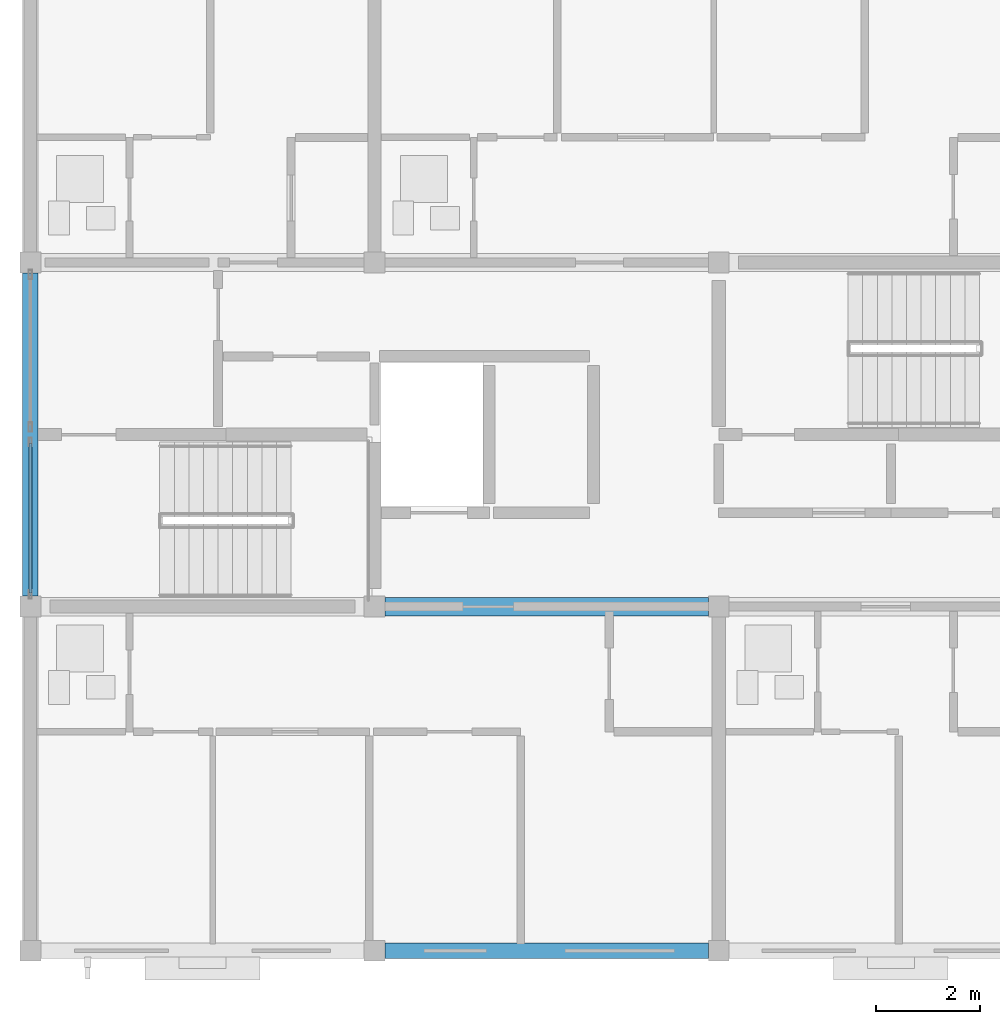
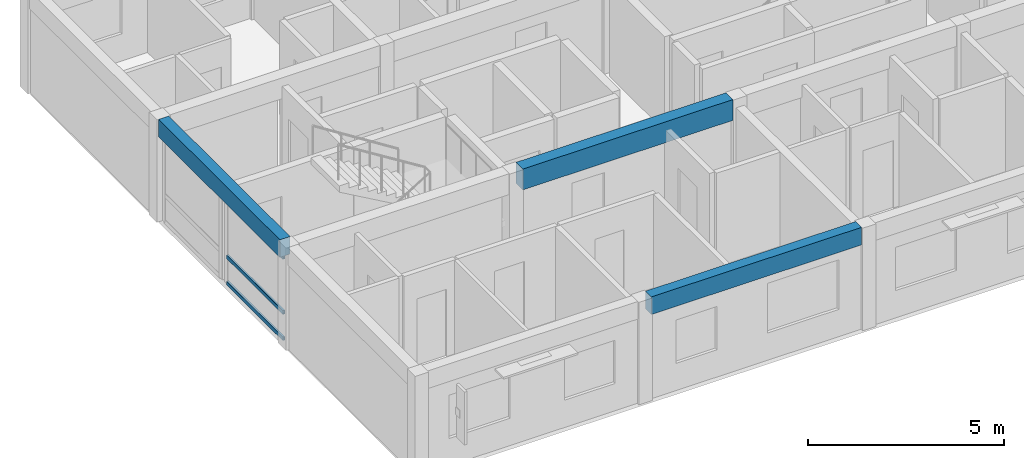
# One storey, part 3 of 12: 3 beams, 3 members, 1 element without a shape of its own.
"""IFC4 building model written with IfcOpenShell, lengths in metres."""

from ifc_helpers import new_model, si_unit, direction, frame, origin, origin_2d, place, context, subcontext, project, spatial, rectangle, hollow_rectangle, extrude, material, material_profile, profile_set, type_object, element, aggregate, save


model = new_model("IFC4")

# Units and contexts
model_context = context("Model", 3, precision=1e-05, world=origin(), true_north=direction((0.0, 1.0)))
body_context = subcontext(model_context, "Body", "Model", "MODEL_VIEW")
ifc_project = project(units=[si_unit("LENGTHUNIT", "METRE"), si_unit("AREAUNIT", "SQUARE_METRE"), si_unit("VOLUMEUNIT", "CUBIC_METRE"), si_unit("PLANEANGLEUNIT", "RADIAN"), si_unit("MASSUNIT", "GRAM", prefix="KILO")], contexts=[model_context])

# Site, building, storey
site_placement = place(None, origin())
site = spatial("IfcSite", under=ifc_project, at=site_placement, CompositionType="ELEMENT")
building_placement = place(site_placement, origin())
building = spatial("IfcBuilding", under=site, at=building_placement, Name="Kernevlak Ridge Housing Community", CompositionType="ELEMENT")
storey_placement = place(building_placement, frame((0.0, 0.0, 56.39990234375)))
storey = spatial("IfcBuildingStorey", under=building, at=storey_placement, Name="L17", CompositionType="ELEMENT", Elevation=56.39990234375)

# Beams
ifc_material_1 = material(Name="Concrete C35/45", Category="concrete")
ifc_material_profile_1 = material_profile(ifc_material_1, rectangle(XDim=0.35009765625, YDim=0.64990234375, at=origin_2d()), Name="RC 350x650")
ifc_profile_set_1 = profile_set([ifc_material_profile_1], Name="Concrete C35/45")
beam_type_1 = type_object("IfcBeamType", Name="B-02", PredefinedType="BEAM", material=ifc_profile_set_1)
beam_1_placement = place(storey_placement, frame((22.39990234375, 82.60009765625, 2.875), z_axis=(1.0, 0.0, 0.0), x_axis=(0.0, 1.0, 0.0)))
element("IfcBeam", 1, at=beam_1_placement, inside=storey, type_object=beam_type_1, Name="Beam B-02 L17 504", PredefinedType="BEAM", context=body_context, shape_type="SweptSolid", body=[
    extrude(rectangle(XDim=0.35009765625, YDim=0.64990234375, at=origin_2d()), origin(), (0.0, 0.0, 1.0), 6.2001953125),
])
ifc_material_profile_2 = material_profile(ifc_material_1, rectangle(XDim=0.300048828125, YDim=0.550048828125, at=origin_2d()), Name="RC 300x550")
ifc_profile_set_2 = profile_set([ifc_material_profile_2], Name="Concrete C35/45")
beam_type_2 = type_object("IfcBeamType", Name="SP-01", PredefinedType="SPANDREL", material=ifc_profile_set_2)
beam_2_placement = place(storey_placement, frame((22.39990234375, 76.0, 2.925048828125), z_axis=(1.0, 0.0, 0.0), x_axis=(0.0, 1.0, 0.0)))
element("IfcBeam", 2, at=beam_2_placement, inside=storey, type_object=beam_type_2, Name="Beam SP-01 L17 500", PredefinedType="SPANDREL", context=body_context, shape_type="SweptSolid", body=[
    extrude(rectangle(XDim=0.300048828125, YDim=0.550048828125, at=origin_2d()), origin(), (0.0, 0.0, 1.0), 6.2001953125),
])
beam_3_placement = place(storey_placement, frame((15.60009765625, 82.800048828125, 2.925048828125), z_axis=(0.0, 1.0, 0.0), x_axis=(-1.0, 0.0, 0.0)))
element("IfcBeam", 3, at=beam_3_placement, inside=storey, type_object=beam_type_2, Name="Beam SP-01 L17 516", PredefinedType="SPANDREL", context=body_context, shape_type="SweptSolid", body=[
    extrude(rectangle(XDim=0.300048828125, YDim=0.550048828125, at=origin_2d()), origin(), (0.0, 0.0, 1.0), 6.199951171875),
])

# Curtain wall, members
ifc_material_2 = material(Name="Aluminium EN AW-6060 anodised and laminated glass", Category="aluminium")
curtain_wall_type = type_object("IfcCurtainWallType", Name="CW-01", PredefinedType="NOTDEFINED", material=ifc_material_2)
curtain_wall_placement = place(storey_placement, origin())
curtain_wall = element("IfcCurtainWall", 4, at=curtain_wall_placement, inside=storey, type_object=curtain_wall_type, Name="Curtain wall CW-01 CW-L17-052", PredefinedType="NOTDEFINED")
ifc_material_3 = material(Name="Aluminium EN AW-6060 anodised", Category="aluminium")
ifc_material_profile_3 = material_profile(ifc_material_3, hollow_rectangle(XDim=0.06005859375, YDim=0.1201171875, WallThickness=0.00390625, InnerFilletRadius=0.001953125, OuterFilletRadius=0.00390625, at=origin_2d()), Name="ALU 60x120x4")
ifc_profile_set_3 = profile_set([ifc_material_profile_3], Name="Aluminium EN AW-6060 anodised")
member_type = type_object("IfcMemberType", Name="TM-02", PredefinedType="USERDEFINED", material=ifc_profile_set_3)
member_1_placement = place(storey_placement, frame((15.60009765625, 82.860107421875, 0.030029296875), z_axis=(0.0, 1.0, 0.0), x_axis=(-1.0, 0.0, 0.0)))
member_1 = element("IfcMember", 5, at=member_1_placement, type_object=member_type, Name="CW-01 transom 1.1", ObjectType="TRANSOM", PredefinedType="USERDEFINED", context=body_context, shape_type="SweptSolid", body=[
    extrude(hollow_rectangle(XDim=0.06005859375, YDim=0.1201171875, WallThickness=0.00390625, InnerFilletRadius=0.001953125, OuterFilletRadius=0.00390625, at=origin_2d()), origin(), (0.0, 0.0, 1.0), 2.869873046875),
])
member_2_placement = place(storey_placement, frame((15.60009765625, 82.860107421875, 0.85009765625), z_axis=(0.0, 1.0, 0.0), x_axis=(-1.0, 0.0, 0.0)))
member_2 = element("IfcMember", 6, at=member_2_placement, type_object=member_type, Name="CW-01 transom 1.2", ObjectType="TRANSOM", PredefinedType="USERDEFINED", context=body_context, shape_type="SweptSolid", body=[
    extrude(hollow_rectangle(XDim=0.06005859375, YDim=0.1201171875, WallThickness=0.00390625, InnerFilletRadius=0.001953125, OuterFilletRadius=0.00390625, at=origin_2d()), origin(), (0.0, 0.0, 1.0), 2.869873046875),
])
member_3_placement = place(storey_placement, frame((15.60009765625, 82.860107421875, 2.570068359375), z_axis=(0.0, 1.0, 0.0), x_axis=(-1.0, 0.0, 0.0)))
member_3 = element("IfcMember", 7, at=member_3_placement, type_object=member_type, Name="CW-01 transom 1.3", ObjectType="TRANSOM", PredefinedType="USERDEFINED", context=body_context, shape_type="SweptSolid", body=[
    extrude(hollow_rectangle(XDim=0.06005859375, YDim=0.1201171875, WallThickness=0.00390625, InnerFilletRadius=0.001953125, OuterFilletRadius=0.00390625, at=origin_2d()), origin(), (0.0, 0.0, 1.0), 2.869873046875),
])
aggregate(curtain_wall, [member_1, member_2, member_3])

save(model, "model.ifc")
